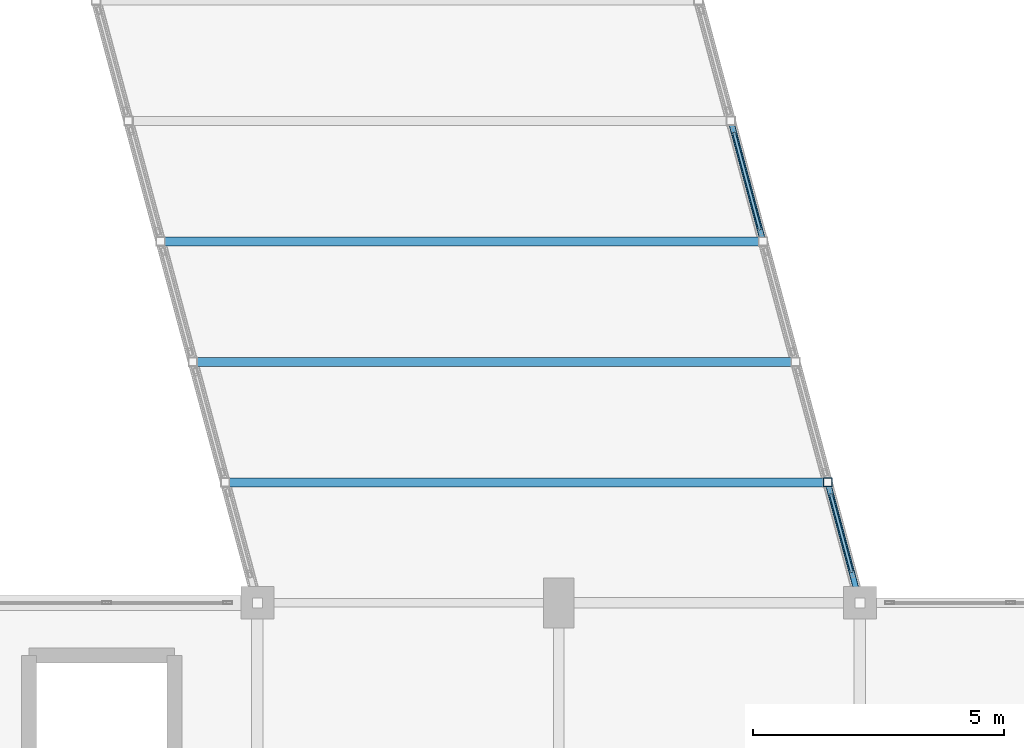
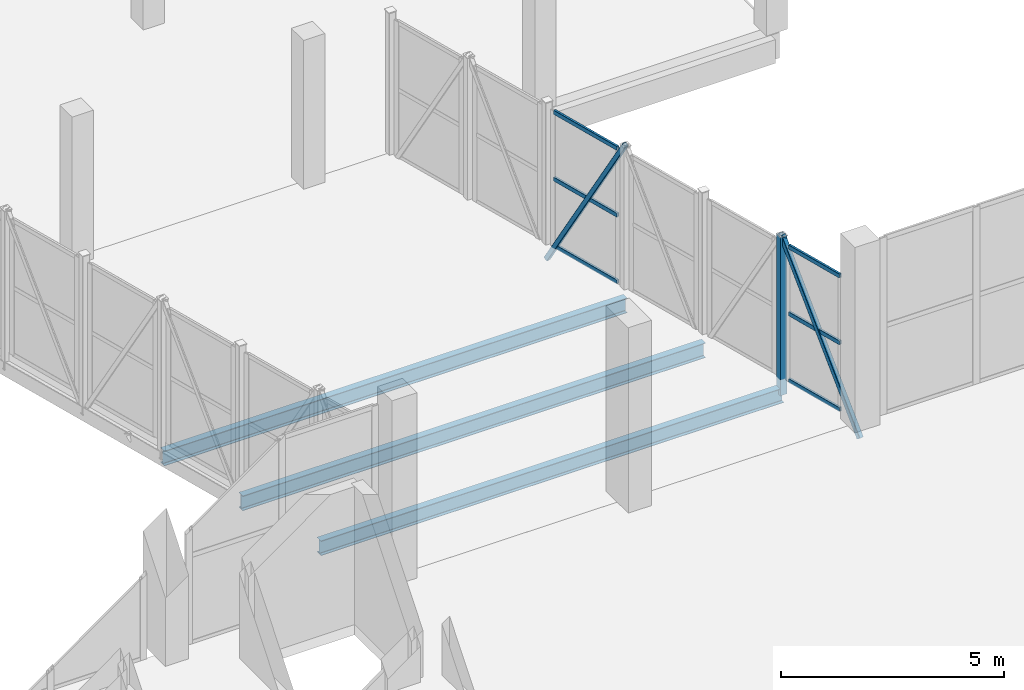
# One storey, part 45 of 127: 9 members, 3 beams, 2 elements without a shape of their own.
"""IFC4 building model written with IfcOpenShell, lengths in metres."""

from ifc_helpers import new_model, si_unit, direction, frame, origin, origin_2d, place, context, subcontext, project, spatial, hollow_rectangle, i_section, extrude, material, layer, layer_set, material_profile, profile_set, type_object, element, aggregate, save


model = new_model("IFC4")

# Units and contexts
model_context = context("Model", 3, precision=1e-05, world=origin(), true_north=direction((0.0, 1.0)))
body_context = subcontext(model_context, "Body", "Model", "MODEL_VIEW")
ifc_project = project(units=[si_unit("LENGTHUNIT", "METRE"), si_unit("AREAUNIT", "SQUARE_METRE"), si_unit("VOLUMEUNIT", "CUBIC_METRE"), si_unit("PLANEANGLEUNIT", "RADIAN"), si_unit("MASSUNIT", "GRAM", prefix="KILO")], contexts=[model_context])

# Site, building, storey
site_placement = place(None, origin())
site = spatial("IfcSite", under=ifc_project, at=site_placement, CompositionType="ELEMENT")
building_placement = place(site_placement, origin())
building = spatial("IfcBuilding", under=site, at=building_placement, Name="Dunvalen Ferry Terminal", CompositionType="ELEMENT")
storey_placement = place(building_placement, frame((0.0, 0.0, 5.760009765625)))
storey = spatial("IfcBuildingStorey", under=building, at=storey_placement, Name="L01", CompositionType="ELEMENT", Elevation=5.760009765625)

# Curtain wall, members
ifc_material_1 = material(Name="Anodised marine aluminium and solar-control glazing", Category="aluminium")
ifc_layer = layer(ifc_material_1, 0.159912109375, Name="Anodised marine aluminium and solar-control glazing")
ifc_layer_set = layer_set([ifc_layer], Name="Anodised marine aluminium and solar-control glazing")
curtain_wall_type = type_object("IfcCurtainWallType", Name="ENV-CW-SYS-07", PredefinedType="NOTDEFINED", material=ifc_layer_set)
curtain_wall_1_placement = place(storey_placement, origin())
curtain_wall_1 = element("IfcCurtainWall", 1, at=curtain_wall_1_placement, inside=storey, type_object=curtain_wall_type, Name="L01 Curtain Wall CW-BRG1-S2-1", PredefinedType="NOTDEFINED")
ifc_material_2 = material(Name="Anodised marine aluminium EN AW-6063 T6", Category="aluminium")
ifc_material_profile_1 = material_profile(ifc_material_2, hollow_rectangle(XDim=0.06005859375, YDim=0.114990234375, WallThickness=0.0029296875, InnerFilletRadius=0.0029296875, OuterFilletRadius=0.006103515625, at=origin_2d()), Name="Anodised marine aluminium EN AW-6063 T6")
ifc_profile_set_1 = profile_set([ifc_material_profile_1], Name="Anodised marine aluminium EN AW-6063 T6")
member_type_1 = type_object("IfcMemberType", Name="ENV-CW-TRN-3", PredefinedType="USERDEFINED", material=ifc_profile_set_1)
member_1_placement = place(storey_placement, frame((41.837890625, 87.005126953125, 0.030029296875), z_axis=(-0.258854143134, 0.965916421117, 0.0), x_axis=(-0.965916421117, -0.258854143134, 0.0)))
member_1 = element("IfcMember", 2, at=member_1_placement, type_object=member_type_1, Name="CW-07 transom 1.1", ObjectType="TRANSOM", PredefinedType="USERDEFINED", context=body_context, shape_type="SweptSolid", body=[
    extrude(hollow_rectangle(XDim=0.06005859375, YDim=0.114990234375, WallThickness=0.0029296875, InnerFilletRadius=0.0029296875, OuterFilletRadius=0.006103515625, at=origin_2d()), origin(), (0.0, 0.0, 1.0), 1.619384765625),
])
member_2_placement = place(storey_placement, frame((41.837890625, 87.005126953125, 1.860107421875), z_axis=(-0.258854143134, 0.965916421117, 0.0), x_axis=(-0.965916421117, -0.258854143134, 0.0)))
member_2 = element("IfcMember", 3, at=member_2_placement, type_object=member_type_1, Name="CW-07 transom 1.2", ObjectType="TRANSOM", PredefinedType="USERDEFINED", context=body_context, shape_type="SweptSolid", body=[
    extrude(hollow_rectangle(XDim=0.06005859375, YDim=0.114990234375, WallThickness=0.0029296875, InnerFilletRadius=0.0029296875, OuterFilletRadius=0.006103515625, at=origin_2d()), origin(), (0.0, 0.0, 1.0), 1.619384765625),
])
member_3_placement = place(storey_placement, frame((41.837890625, 87.005126953125, 3.68994140625), z_axis=(-0.258854143134, 0.965916421117, 0.0), x_axis=(-0.965916421117, -0.258854143134, 0.0)))
member_3 = element("IfcMember", 4, at=member_3_placement, type_object=member_type_1, Name="CW-07 transom 1.3", ObjectType="TRANSOM", PredefinedType="USERDEFINED", context=body_context, shape_type="SweptSolid", body=[
    extrude(hollow_rectangle(XDim=0.06005859375, YDim=0.114990234375, WallThickness=0.0029296875, InnerFilletRadius=0.0029296875, OuterFilletRadius=0.006103515625, at=origin_2d()), origin(), (0.0, 0.0, 1.0), 1.619384765625),
])
aggregate(curtain_wall_1, [member_1, member_2, member_3])

curtain_wall_2_placement = place(storey_placement, origin())
curtain_wall_2 = element("IfcCurtainWall", 5, at=curtain_wall_2_placement, inside=storey, type_object=curtain_wall_type, Name="L01 Curtain Wall CW-BRG1-S2-4", PredefinedType="NOTDEFINED")
member_4_placement = place(storey_placement, frame((40.0087890625, 93.830810546875, 0.030029296875), z_axis=(-0.258760408924, 0.965941535898, 0.0), x_axis=(-0.965941535898, -0.258760408924, 0.0)))
member_4 = element("IfcMember", 6, at=member_4_placement, type_object=member_type_1, Name="CW-07 transom 1.1", ObjectType="TRANSOM", PredefinedType="USERDEFINED", context=body_context, shape_type="SweptSolid", body=[
    extrude(hollow_rectangle(XDim=0.06005859375, YDim=0.114990234375, WallThickness=0.0029296875, InnerFilletRadius=0.0029296875, OuterFilletRadius=0.006103515625, at=origin_2d()), origin(), (0.0, 0.0, 1.0), 2.0068359375),
])
member_5_placement = place(storey_placement, frame((40.0087890625, 93.830810546875, 1.860107421875), z_axis=(-0.258760408924, 0.965941535898, 0.0), x_axis=(-0.965941535898, -0.258760408924, 0.0)))
member_5 = element("IfcMember", 7, at=member_5_placement, type_object=member_type_1, Name="CW-07 transom 1.2", ObjectType="TRANSOM", PredefinedType="USERDEFINED", context=body_context, shape_type="SweptSolid", body=[
    extrude(hollow_rectangle(XDim=0.06005859375, YDim=0.114990234375, WallThickness=0.0029296875, InnerFilletRadius=0.0029296875, OuterFilletRadius=0.006103515625, at=origin_2d()), origin(), (0.0, 0.0, 1.0), 2.0068359375),
])
member_6_placement = place(storey_placement, frame((40.0087890625, 93.830810546875, 3.68994140625), z_axis=(-0.258760408924, 0.965941535898, 0.0), x_axis=(-0.965941535898, -0.258760408924, 0.0)))
member_6 = element("IfcMember", 8, at=member_6_placement, type_object=member_type_1, Name="CW-07 transom 1.3", ObjectType="TRANSOM", PredefinedType="USERDEFINED", context=body_context, shape_type="SweptSolid", body=[
    extrude(hollow_rectangle(XDim=0.06005859375, YDim=0.114990234375, WallThickness=0.0029296875, InnerFilletRadius=0.0029296875, OuterFilletRadius=0.006103515625, at=origin_2d()), origin(), (0.0, 0.0, 1.0), 2.0068359375),
])
aggregate(curtain_wall_2, [member_4, member_5, member_6])

# Beams
ifc_material_3 = material(Name="Steel S355", Category="steel")
ifc_material_profile_2 = material_profile(ifc_material_3, i_section(OverallWidth=0.177978515625, OverallDepth=0.406494140625, WebThickness=0.0078125, FlangeThickness=0.0126953125, FilletRadius=0.01025390625, at=origin_2d()), Name="Steel S355")
ifc_profile_set_2 = profile_set([ifc_material_profile_2], Name="Steel S355")
beam_type = type_object("IfcBeamType", Name="STR-BM-UKB406", PredefinedType="JOIST", material=ifc_profile_set_2)
for number, where, z_axis, x_axis, name in (
    (9, (29.35693359375, 88.800048828125, -0.449951171875), (1.0, 0.0, 0.0), (0.0, 1.0, 0.0), "Boarding Bridge 1 Floor Crossbeam 1"),
    (10, (28.7138671875, 91.199951171875, -0.449951171875), (1.0, 0.0, 0.0), (0.0, 1.0, 0.0), "Boarding Bridge 1 Floor Crossbeam 2"),
    (11, (28.07080078125, 93.60009765625, -0.449951171875), (1.0, 0.0, 0.0), (0.0, 1.0, 0.0), "Boarding Bridge 1 Floor Crossbeam 3"),
):
    element("IfcBeam", number, at=place(storey_placement, frame(where, z_axis=z_axis, x_axis=x_axis)), inside=storey, type_object=beam_type, Name=name, PredefinedType="JOIST", context=body_context, shape_type="SweptSolid", body=[
        extrude(i_section(OverallWidth=0.177978515625, OverallDepth=0.406494140625, WebThickness=0.0078125, FlangeThickness=0.0126953125, FilletRadius=0.01025390625, at=origin_2d()), origin(), (0.0, 0.0, 1.0), 12.0),
    ])

# Members
ifc_material_profile_3 = material_profile(ifc_material_3, hollow_rectangle(XDim=0.1201171875, YDim=0.1201171875, WallThickness=0.00634765625, InnerFilletRadius=0.00634765625, OuterFilletRadius=0.0126953125, at=origin_2d()), Name="Steel S355")
ifc_profile_set_3 = profile_set([ifc_material_profile_3], Name="Steel S355")
member_type_2 = type_object("IfcMemberType", Name="STR-MB-SHS120", PredefinedType="BRACE", material=ifc_profile_set_3)
for number, where, z_axis, x_axis, name in (
    (12, (42.0, 86.39990234375, -0.43994140625), (-0.128591470582, 0.47994789191, 0.867821556972), (-0.965930947833, -0.258799930484, 0.0), "Boarding Bridge 1 Warren Diagonal 2.1"),
    (13, (40.07080078125, 93.60009765625, 3.89990234375), (-0.128594483559, 0.479910316395, -0.867841890563), (-0.965924366126, -0.258824494443, 0.0), "Boarding Bridge 1 Warren Diagonal 2.4"),
):
    element("IfcMember", number, at=place(storey_placement, frame(where, z_axis=z_axis, x_axis=x_axis)), inside=storey, type_object=member_type_2, Name=name, PredefinedType="BRACE", context=body_context, shape_type="SweptSolid", body=[
        extrude(hollow_rectangle(XDim=0.1201171875, YDim=0.1201171875, WallThickness=0.00634765625, InnerFilletRadius=0.00634765625, OuterFilletRadius=0.0126953125, at=origin_2d()), origin(), (0.0, 0.0, 1.0), 5.000732421875),
    ])
ifc_material_profile_4 = material_profile(ifc_material_3, hollow_rectangle(XDim=0.179931640625, YDim=0.179931640625, WallThickness=0.008056640625, InnerFilletRadius=0.008056640625, OuterFilletRadius=0.01611328125, at=origin_2d()), Name="Steel S355")
ifc_profile_set_4 = profile_set([ifc_material_profile_4], Name="Steel S355")
member_type_3 = type_object("IfcMemberType", Name="STR-MB-SHS180", PredefinedType="STRUT", material=ifc_profile_set_4)
member_7_placement = place(storey_placement, frame((41.35693359375, 88.800048828125, -0.43994140625), z_axis=(0.0, 0.0, 1.0), x_axis=(1.0, 0.0, 0.0)))
element("IfcMember", 14, at=member_7_placement, inside=storey, type_object=member_type_3, Name="Boarding Bridge 1 Truss Post 2.1", PredefinedType="STRUT", context=body_context, shape_type="SweptSolid", body=[
    extrude(hollow_rectangle(XDim=0.179931640625, YDim=0.179931640625, WallThickness=0.008056640625, InnerFilletRadius=0.008056640625, OuterFilletRadius=0.01611328125, at=origin_2d()), origin(), (0.0, 0.0, 1.0), 4.33984375),
])

save(model, "model.ifc")
